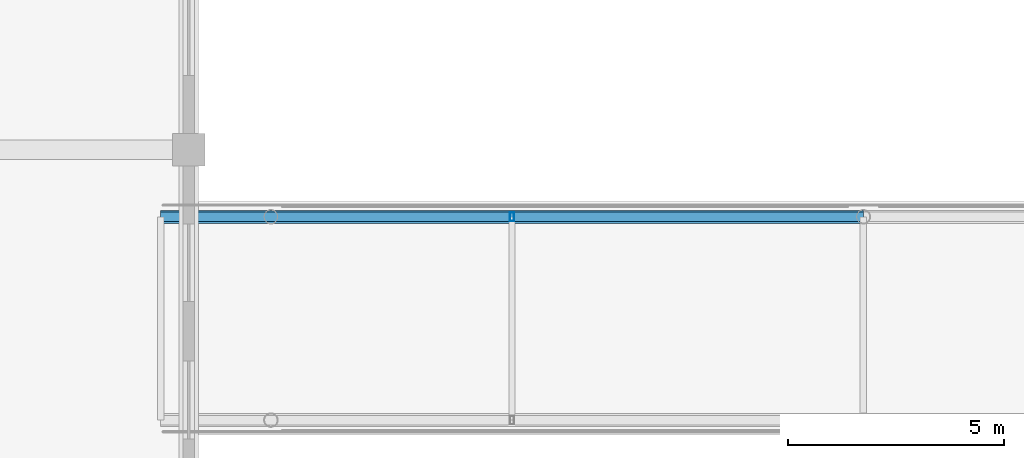
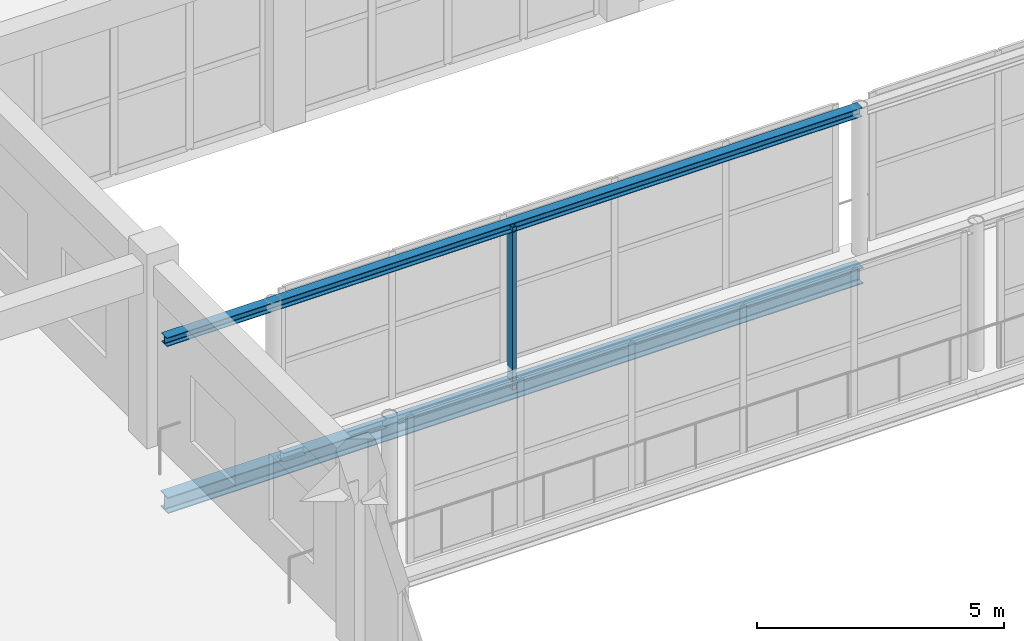
# One storey, part 65 of 167: 2 members, 1 beam.
"""IFC4 building model written with IfcOpenShell, lengths in metres."""

from ifc_helpers import new_model, si_unit, direction, frame, origin, origin_2d, place, context, subcontext, project, spatial, hollow_rectangle, i_section, extrude, material, material_profile, profile_set, type_object, element, save


model = new_model("IFC4")

# Units and contexts
model_context = context("Model", 3, precision=1e-05, world=origin(), true_north=direction((0.0, 1.0)))
body_context = subcontext(model_context, "Body", "Model", "MODEL_VIEW")
ifc_project = project(units=[si_unit("LENGTHUNIT", "METRE"), si_unit("AREAUNIT", "SQUARE_METRE"), si_unit("VOLUMEUNIT", "CUBIC_METRE"), si_unit("PLANEANGLEUNIT", "RADIAN"), si_unit("MASSUNIT", "GRAM", prefix="KILO")], contexts=[model_context])

# Site, building, storey
site_placement = place(None, origin())
site = spatial("IfcSite", under=ifc_project, at=site_placement, CompositionType="ELEMENT")
building_placement = place(site_placement, origin())
building = spatial("IfcBuilding", under=site, at=building_placement, Name="Zizhar Promenade General Hospital", CompositionType="ELEMENT")
storey_placement = place(building_placement, frame((0.0, 0.0, 9.60009765625)))
storey = spatial("IfcBuildingStorey", under=building, at=storey_placement, Name="L02", CompositionType="ELEMENT", Elevation=9.60009765625)

# Beam
ifc_material_1 = material(Name="Steel S355", Category="steel")
ifc_material_profile_1 = material_profile(ifc_material_1, i_section(OverallWidth=0.300048828125, OverallDepth=0.39990234375, WebThickness=0.013427734375, FlangeThickness=0.02392578125, FilletRadius=0.027099609375, at=origin_2d()))
ifc_profile_set_1 = profile_set([ifc_material_profile_1], Name="Steel S355")
beam_type = type_object("IfcBeamType", Name="BM-STL-HEB400", PredefinedType="BEAM", material=ifc_profile_set_1)
beam_placement = place(storey_placement, frame((69.550048828125, 82.449951171875, -0.5), z_axis=(1.0, 0.0, 0.0), x_axis=(0.0, 1.0, 0.0)))
element("IfcBeam", 1, at=beam_placement, inside=storey, type_object=beam_type, Name="SB-2 Bottom Chord 1N", PredefinedType="BEAM", context=body_context, shape_type="SweptSolid", body=[
    extrude(i_section(OverallWidth=0.300048828125, OverallDepth=0.39990234375, WebThickness=0.013427734375, FlangeThickness=0.02392578125, FilletRadius=0.027099609375, at=origin_2d()), origin(), (0.0, 0.0, 1.0), 16.25),
])

# Members
ifc_material_2 = material(Name="Steel S355", Category="steel")
ifc_material_profile_2 = material_profile(ifc_material_2, i_section(OverallWidth=0.219970703125, OverallDepth=0.219970703125, WebThickness=0.009521484375, FlangeThickness=0.01611328125, FilletRadius=0.01806640625, at=origin_2d()))
ifc_profile_set_2 = profile_set([ifc_material_profile_2], Name="Steel S355")
member_type_1 = type_object("IfcMemberType", Name="MEM-CHORD-HEB220", PredefinedType="CHORD", material=ifc_profile_set_2)
member_1_placement = place(storey_placement, frame((69.550048828125, 82.449951171875, 3.510009765625), z_axis=(1.0, 0.0, 0.0), x_axis=(0.0, 1.0, 0.0)))
element("IfcMember", 2, at=member_1_placement, inside=storey, type_object=member_type_1, Name="SB-2 Top Chord 1N", PredefinedType="CHORD", context=body_context, shape_type="SweptSolid", body=[
    extrude(i_section(OverallWidth=0.219970703125, OverallDepth=0.219970703125, WebThickness=0.009521484375, FlangeThickness=0.01611328125, FilletRadius=0.01806640625, at=origin_2d()), origin(), (0.0, 0.0, 1.0), 16.25),
])
ifc_material_3 = material(Name="Steel S355", Category="steel")
ifc_material_profile_3 = material_profile(ifc_material_3, hollow_rectangle(XDim=0.10009765625, YDim=0.199951171875, WallThickness=0.008056640625, at=origin_2d()))
ifc_profile_set_3 = profile_set([ifc_material_profile_3], Name="Steel S355")
member_type_2 = type_object("IfcMemberType", Name="MEM-STRUT-RHS200", PredefinedType="STRUT", material=ifc_profile_set_3)
member_2_placement = place(storey_placement, frame((77.675048828125, 82.449951171875, -0.5), z_axis=(0.0, 0.0, 1.0), x_axis=(1.0, 0.0, 0.0)))
element("IfcMember", 3, at=member_2_placement, inside=storey, type_object=member_type_2, Name="SB-2 Vierendeel Post 1N", PredefinedType="STRUT", context=body_context, shape_type="SweptSolid", body=[
    extrude(hollow_rectangle(XDim=0.10009765625, YDim=0.199951171875, WallThickness=0.008056640625, at=origin_2d()), origin(), (0.0, 0.0, 1.0), 4.010009765625),
])

save(model, "model.ifc")
